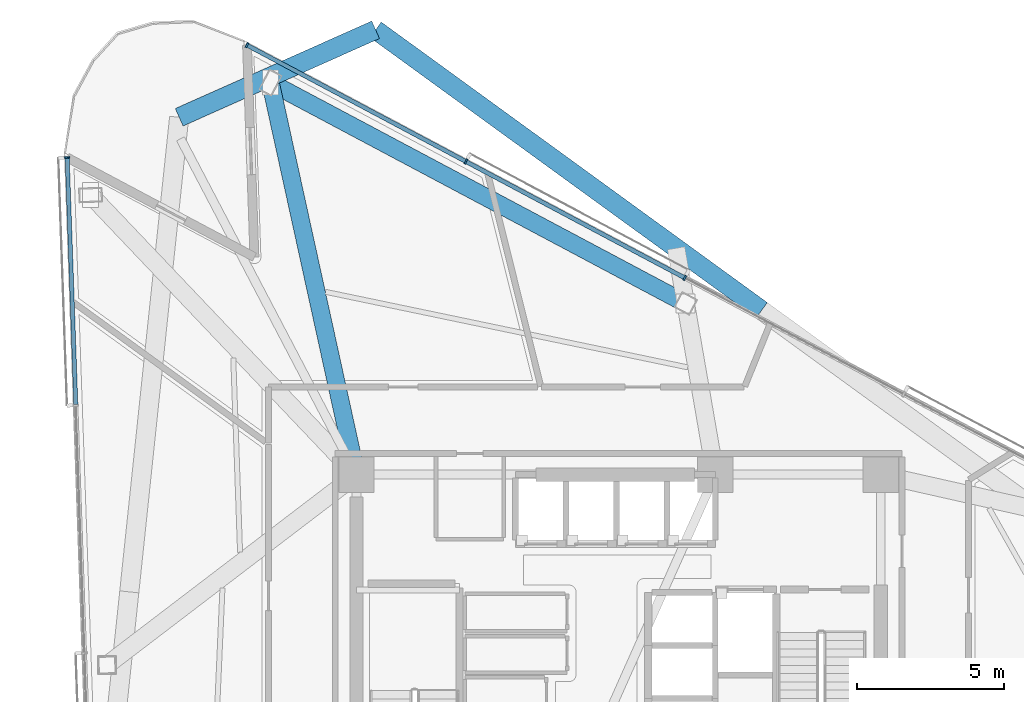
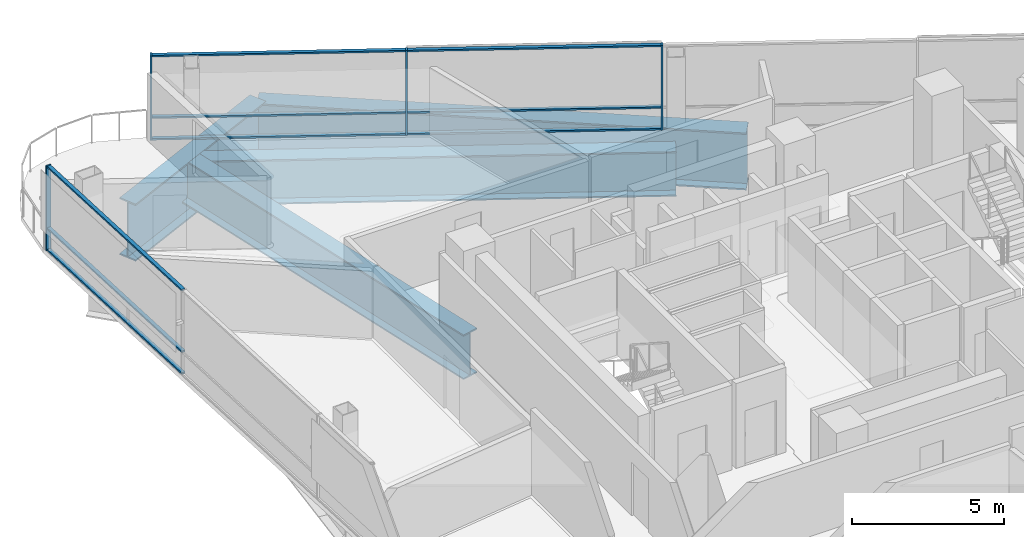
# One storey, part 9 of 20: 13 members, 4 beams, 2 elements without a shape of their own.
"""IFC4 building model written with IfcOpenShell, lengths in metres."""

from ifc_helpers import new_model, si_unit, direction, frame, origin, origin_2d, place, context, subcontext, project, spatial, rectangle, i_section, extrude, material, layer, layer_set, material_profile, profile_set, type_object, element, aggregate, save


model = new_model("IFC4")

# Units and contexts
model_context = context("Model", 3, precision=1e-05, world=origin(), true_north=direction((0.0, 1.0)))
body_context = subcontext(model_context, "Body", "Model", "MODEL_VIEW")
ifc_project = project(units=[si_unit("LENGTHUNIT", "METRE"), si_unit("AREAUNIT", "SQUARE_METRE"), si_unit("VOLUMEUNIT", "CUBIC_METRE"), si_unit("PLANEANGLEUNIT", "RADIAN"), si_unit("MASSUNIT", "GRAM", prefix="KILO")], contexts=[model_context])

# Site, building, storey
site_placement = place(None, origin())
site = spatial("IfcSite", under=ifc_project, at=site_placement, CompositionType="ELEMENT")
building_placement = place(site_placement, origin())
building = spatial("IfcBuilding", under=site, at=building_placement, Name="Tharavind Bronze Gate", CompositionType="ELEMENT")
storey_placement = place(building_placement, frame((0.0, 0.0, 138.800048828125)))
storey = spatial("IfcBuildingStorey", under=building, at=storey_placement, Name="L35", CompositionType="ELEMENT", Elevation=138.800048828125)

# Curtain wall, member
ifc_material_1 = material(Name="Anodised Bronze Aluminium", Category="aluminium")
ifc_layer = layer(ifc_material_1, 0.219970703125)
ifc_layer_set = layer_set([ifc_layer], Name="Anodised Bronze Aluminium")
curtain_wall_type = type_object("IfcCurtainWallType", Name="UNITISED CURTAIN WALL MID OFFICE", PredefinedType="USERDEFINED", material=ifc_layer_set)
curtain_wall_1_placement = place(storey_placement, origin())
curtain_wall_1 = element("IfcCurtainWall", 1, at=curtain_wall_1_placement, inside=storey, type_object=curtain_wall_type, Name="L35 unitised curtain wall mid office CW-L35-S1", ObjectType="UNITISED CURTAIN WALL", PredefinedType="USERDEFINED")
member_type_1 = type_object("IfcMemberType", Name="CURTAIN WALL BRONZE MULLION 65X180", PredefinedType="MULLION", material=ifc_material_1)
member_1_placement = place(storey_placement, frame((-18.7197265625, 18.364501953125, 0.0), z_axis=(0.0, 0.0, 1.0), x_axis=(0.034899496703, -0.999390827019, 0.0)))
member_1 = element("IfcMember", 2, at=member_1_placement, type_object=member_type_1, Name="CW-L35-S1 mullion 1", PredefinedType="MULLION", context=body_context, shape_type="SweptSolid", body=[
    extrude(rectangle(XDim=0.06494140625, YDim=0.179931640625, at=origin_2d()), origin(), (0.0, 0.0, 1.0), 3.409912109375),
])

# Curtain wall, members
curtain_wall_2_placement = place(storey_placement, origin())
curtain_wall_2 = element("IfcCurtainWall", 3, at=curtain_wall_2_placement, inside=storey, type_object=curtain_wall_type, Name="L35 unitised curtain wall mid office CW-L35-S3", ObjectType="UNITISED CURTAIN WALL", PredefinedType="USERDEFINED")
member_2_placement = place(storey_placement, frame((2.245361328125, 14.279052734375, 0.0), z_axis=(0.0, 0.0, 1.0), x_axis=(-0.882947592859, 0.469471562786, 0.0)))
member_2 = element("IfcMember", 4, at=member_2_placement, type_object=member_type_1, Name="CW-L35-S3 mullion 5", PredefinedType="MULLION", context=body_context, shape_type="SweptSolid", body=[
    extrude(rectangle(XDim=0.06494140625, YDim=0.179931640625, at=origin_2d()), origin(), (0.0, 0.0, 1.0), 3.409912109375),
])
member_3_placement = place(storey_placement, frame((-5.184326171875, 18.2294921875, 0.0), z_axis=(0.0, 0.0, 1.0), x_axis=(-0.882947592859, 0.469471562786, 0.0)))
member_3 = element("IfcMember", 5, at=member_3_placement, type_object=member_type_1, Name="CW-L35-S3 mullion 6", PredefinedType="MULLION", context=body_context, shape_type="SweptSolid", body=[
    extrude(rectangle(XDim=0.06494140625, YDim=0.179931640625, at=origin_2d()), origin(), (0.0, 0.0, 1.0), 3.409912109375),
])
member_4_placement = place(storey_placement, frame((-12.614013671875, 22.179931640625, 0.0), z_axis=(0.0, 0.0, 1.0), x_axis=(-0.882947592859, 0.469471562786, 0.0)))
member_4 = element("IfcMember", 6, at=member_4_placement, type_object=member_type_1, Name="CW-L35-S3 mullion 7", PredefinedType="MULLION", context=body_context, shape_type="SweptSolid", body=[
    extrude(rectangle(XDim=0.06494140625, YDim=0.179931640625, at=origin_2d()), origin(), (0.0, 0.0, 1.0), 3.409912109375),
])

# Member
member_type_2 = type_object("IfcMemberType", Name="CURTAIN WALL BRONZE TRANSOM 65X140", PredefinedType="USERDEFINED", material=ifc_material_1)
member_5_placement = place(storey_placement, frame((-18.572998046875, 14.159912109375, 0.0), z_axis=(0.0, 0.0, 1.0), x_axis=(0.034899496703, -0.999390827019, 0.0)))
member_5 = element("IfcMember", 7, at=member_5_placement, type_object=member_type_2, Name="CW-L35-S1 transom TB1", ObjectType="TRANSOM", PredefinedType="USERDEFINED", context=body_context, shape_type="SweptSolid", body=[
    extrude(rectangle(XDim=8.361572265625, YDim=0.139892578125, at=origin_2d()), origin(), (0.0, 0.0, 1.0), 0.06494140625),
])

member_6_placement = place(storey_placement, frame((-18.572998046875, 14.159912109375, 0.867431640625), z_axis=(0.0, 0.0, 1.0), x_axis=(0.034899496703, -0.999390827019, 0.0)))
member_6 = element("IfcMember", 8, at=member_6_placement, type_object=member_type_2, Name="CW-L35-S1 transom TS1", ObjectType="TRANSOM", PredefinedType="USERDEFINED", context=body_context, shape_type="SweptSolid", body=[
    extrude(rectangle(XDim=8.361572265625, YDim=0.139892578125, at=origin_2d()), origin(), (0.0, 0.0, 1.0), 0.06494140625),
])

member_7_placement = place(storey_placement, frame((-18.572998046875, 14.159912109375, 3.344970703125), z_axis=(0.0, 0.0, 1.0), x_axis=(0.034899496703, -0.999390827019, 0.0)))
member_7 = element("IfcMember", 9, at=member_7_placement, type_object=member_type_2, Name="CW-L35-S1 transom TT1", ObjectType="TRANSOM", PredefinedType="USERDEFINED", context=body_context, shape_type="SweptSolid", body=[
    extrude(rectangle(XDim=8.361572265625, YDim=0.139892578125, at=origin_2d()), origin(), (0.0, 0.0, 1.0), 0.06494140625),
])

aggregate(curtain_wall_1, [member_1, member_5, member_6, member_7])

member_8_placement = place(storey_placement, frame((-1.469482421875, 16.25439453125, 0.0), z_axis=(0.0, 0.0, 1.0), x_axis=(-0.882947592859, 0.469471562786, 0.0)))
member_8 = element("IfcMember", 10, at=member_8_placement, type_object=member_type_2, Name="CW-L35-S3 transom TB5", ObjectType="TRANSOM", PredefinedType="USERDEFINED", context=body_context, shape_type="SweptSolid", body=[
    extrude(rectangle(XDim=8.361572265625, YDim=0.139892578125, at=origin_2d()), origin(), (0.0, 0.0, 1.0), 0.06494140625),
])

member_9_placement = place(storey_placement, frame((-1.469482421875, 16.25439453125, 0.867431640625), z_axis=(0.0, 0.0, 1.0), x_axis=(-0.882947592859, 0.469471562786, 0.0)))
member_9 = element("IfcMember", 11, at=member_9_placement, type_object=member_type_2, Name="CW-L35-S3 transom TS5", ObjectType="TRANSOM", PredefinedType="USERDEFINED", context=body_context, shape_type="SweptSolid", body=[
    extrude(rectangle(XDim=8.361572265625, YDim=0.139892578125, at=origin_2d()), origin(), (0.0, 0.0, 1.0), 0.06494140625),
])

member_10_placement = place(storey_placement, frame((-1.469482421875, 16.25439453125, 3.344970703125), z_axis=(0.0, 0.0, 1.0), x_axis=(-0.882947592859, 0.469471562786, 0.0)))
member_10 = element("IfcMember", 12, at=member_10_placement, type_object=member_type_2, Name="CW-L35-S3 transom TT5", ObjectType="TRANSOM", PredefinedType="USERDEFINED", context=body_context, shape_type="SweptSolid", body=[
    extrude(rectangle(XDim=8.361572265625, YDim=0.139892578125, at=origin_2d()), origin(), (0.0, 0.0, 1.0), 0.06494140625),
])

member_11_placement = place(storey_placement, frame((-8.899169921875, 20.20458984375, 0.0), z_axis=(0.0, 0.0, 1.0), x_axis=(-0.882947592859, 0.469471562786, 0.0)))
member_11 = element("IfcMember", 13, at=member_11_placement, type_object=member_type_2, Name="CW-L35-S3 transom TB6", ObjectType="TRANSOM", PredefinedType="USERDEFINED", context=body_context, shape_type="SweptSolid", body=[
    extrude(rectangle(XDim=8.361572265625, YDim=0.139892578125, at=origin_2d()), origin(), (0.0, 0.0, 1.0), 0.06494140625),
])

member_12_placement = place(storey_placement, frame((-8.899169921875, 20.20458984375, 0.867431640625), z_axis=(0.0, 0.0, 1.0), x_axis=(-0.882947592859, 0.469471562786, 0.0)))
member_12 = element("IfcMember", 14, at=member_12_placement, type_object=member_type_2, Name="CW-L35-S3 transom TS6", ObjectType="TRANSOM", PredefinedType="USERDEFINED", context=body_context, shape_type="SweptSolid", body=[
    extrude(rectangle(XDim=8.361572265625, YDim=0.139892578125, at=origin_2d()), origin(), (0.0, 0.0, 1.0), 0.06494140625),
])

member_13_placement = place(storey_placement, frame((-8.899169921875, 20.20458984375, 3.344970703125), z_axis=(0.0, 0.0, 1.0), x_axis=(-0.882947592859, 0.469471562786, 0.0)))
member_13 = element("IfcMember", 15, at=member_13_placement, type_object=member_type_2, Name="CW-L35-S3 transom TT6", ObjectType="TRANSOM", PredefinedType="USERDEFINED", context=body_context, shape_type="SweptSolid", body=[
    extrude(rectangle(XDim=8.361572265625, YDim=0.139892578125, at=origin_2d()), origin(), (0.0, 0.0, 1.0), 0.06494140625),
])

aggregate(curtain_wall_2, [member_2, member_3, member_4, member_8, member_9, member_10, member_11, member_12, member_13])

# Beams
ifc_material_2 = material(Name="Steel S460", Category="steel")
ifc_material_profile_1 = material_profile(ifc_material_2, i_section(OverallWidth=0.60009765625, OverallDepth=1.800048828125, WebThickness=0.031982421875, FlangeThickness=0.054931640625, at=origin_2d()), Name="PG1800X600")
ifc_profile_set_1 = profile_set([ifc_material_profile_1], Name="Steel S460")
beam_type_1 = type_object("IfcBeamType", Name="TRANSFER GIRDER 1800X600", PredefinedType="USERDEFINED", material=ifc_profile_set_1)
beam_1_placement = place(storey_placement, frame((2.275634765625, 13.41357421875, -1.090087890625), z_axis=(-0.882951706672, 0.469463825747, 0.0), x_axis=(-0.469463825747, -0.882951706672, 0.0)))
element("IfcBeam", 16, at=beam_1_placement, inside=storey, type_object=beam_type_1, Name="L35 transfer girder 1800x600 BM-L35-URG11", ObjectType="TRANSFER GIRDER", PredefinedType="USERDEFINED", context=body_context, shape_type="SweptSolid", body=[
    extrude(i_section(OverallWidth=0.60009765625, OverallDepth=1.800048828125, WebThickness=0.031982421875, FlangeThickness=0.054931640625, at=origin_2d()), origin(), (0.0, 0.0, 1.0), 15.963134765625),
])
beam_2_placement = place(storey_placement, frame((-8.89990234375, 7.60009765625, -1.090087890625), z_axis=(-0.214259241868, 0.976776830844, 0.0), x_axis=(-0.976776830844, -0.214259241868, 0.0)))
element("IfcBeam", 17, at=beam_2_placement, inside=storey, type_object=beam_type_1, Name="L35 transfer girder 1800x600 BM-L35-XFR12", ObjectType="TRANSFER GIRDER", PredefinedType="USERDEFINED", context=body_context, shape_type="SweptSolid", body=[
    extrude(i_section(OverallWidth=0.60009765625, OverallDepth=1.800048828125, WebThickness=0.031982421875, FlangeThickness=0.054931640625, at=origin_2d()), origin(), (0.0, 0.0, 1.0), 13.813720703125),
])
ifc_material_profile_2 = material_profile(ifc_material_2, i_section(OverallWidth=0.64990234375, OverallDepth=2.300048828125, WebThickness=0.035888671875, FlangeThickness=0.05810546875, at=origin_2d()), Name="PG2300X650")
ifc_profile_set_2 = profile_set([ifc_material_profile_2], Name="Steel S460")
beam_type_2 = type_object("IfcBeamType", Name="TRANSFER GIRDER 2300X650", PredefinedType="USERDEFINED", material=ifc_profile_set_2)
beam_3_placement = place(storey_placement, frame((4.856201171875, 13.179443359375, -1.340087890625), z_axis=(-0.809014294341, 0.587788968553, 0.0), x_axis=(-0.587788968553, -0.809014294341, 0.0)))
element("IfcBeam", 18, at=beam_3_placement, inside=storey, type_object=beam_type_2, Name="L35 transfer girder 2300x650 BM-L35-LRG11", ObjectType="TRANSFER GIRDER", PredefinedType="USERDEFINED", context=body_context, shape_type="SweptSolid", body=[
    extrude(i_section(OverallWidth=0.64990234375, OverallDepth=2.300048828125, WebThickness=0.035888671875, FlangeThickness=0.05810546875, at=origin_2d()), origin(), (0.0, 0.0, 1.0), 16.198486328125),
])
beam_4_placement = place(storey_placement, frame((-8.24853515625, 22.70068359375, -1.340087890625), z_axis=(-0.913543802, -0.40674036169, 0.0), x_axis=(0.40674036169, -0.913543802, 0.0)))
element("IfcBeam", 19, at=beam_4_placement, inside=storey, type_object=beam_type_2, Name="L35 transfer girder 2300x650 BM-L35-LRG12", ObjectType="TRANSFER GIRDER", PredefinedType="USERDEFINED", context=body_context, shape_type="SweptSolid", body=[
    extrude(i_section(OverallWidth=0.64990234375, OverallDepth=2.300048828125, WebThickness=0.035888671875, FlangeThickness=0.05810546875, at=origin_2d()), origin(), (0.0, 0.0, 1.0), 7.300048828125),
])

save(model, "model.ifc")
